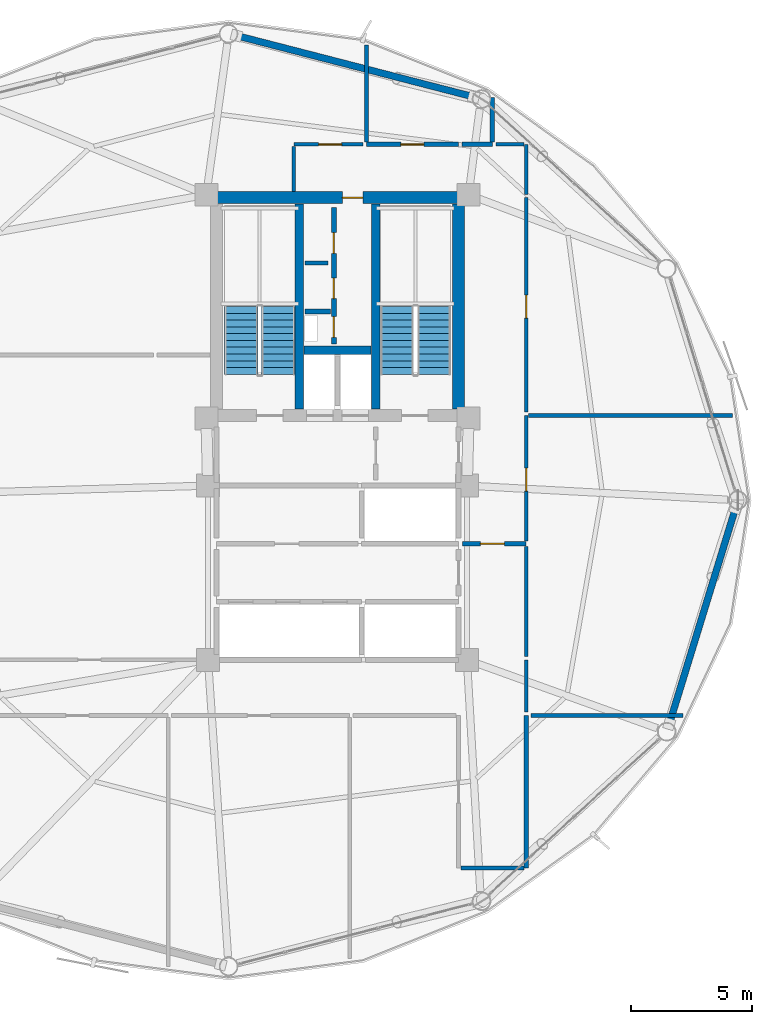
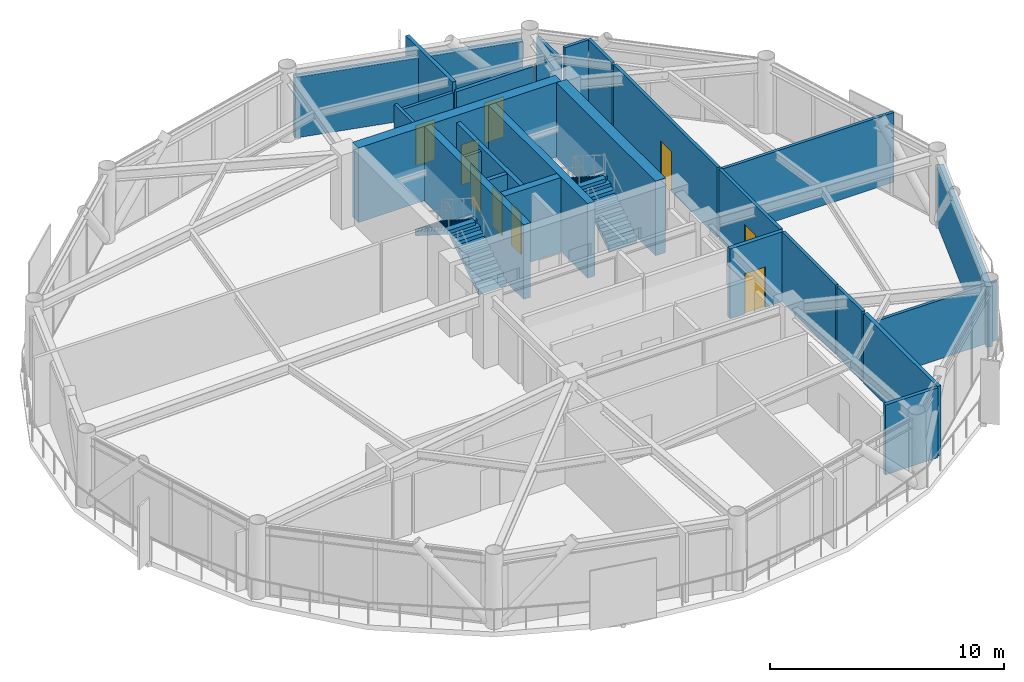
# One storey, part 23 of 27: 27 walls, 9 doors, 4 stair flights, 9 openings, 2 elements without a shape of their own.
"""IFC4 building model written with IfcOpenShell, lengths in metres."""

from ifc_helpers import new_model, si_unit, direction, frame, frame_2d, origin, place, context, subcontext, project, spatial, polyline, rectangle, outline, extrude, material, layer, layer_set, type_object, element, fill, aggregate, save


model = new_model("IFC4")

# Units and contexts
model_context = context("Model", 3, precision=1e-05, world=origin(), true_north=direction((0.0, 1.0)))
body_context = subcontext(model_context, "Body", "Model", "MODEL_VIEW")
ifc_project = project(units=[si_unit("LENGTHUNIT", "METRE"), si_unit("AREAUNIT", "SQUARE_METRE"), si_unit("VOLUMEUNIT", "CUBIC_METRE"), si_unit("PLANEANGLEUNIT", "RADIAN"), si_unit("MASSUNIT", "GRAM", prefix="KILO")], contexts=[model_context])

# Site, building, storey
site_placement = place(None, origin())
site = spatial("IfcSite", under=ifc_project, at=site_placement, CompositionType="ELEMENT")
building_placement = place(site_placement, origin())
building = spatial("IfcBuilding", under=site, at=building_placement, Name="Varnakorn Sky Granary", CompositionType="ELEMENT")
storey_placement = place(building_placement, frame((0.0, 0.0, 134.39990234375)))
storey = spatial("IfcBuildingStorey", under=building, at=storey_placement, Name="L33", CompositionType="ELEMENT", Elevation=134.39990234375)

# Walls
ifc_material_1 = material(Name="Concrete C50/60", Category="concrete")
ifc_layer_1 = layer(ifc_material_1, 0.35009765625, Name="Concrete C50/60")
ifc_layer_set_1 = layer_set([ifc_layer_1], Name="Concrete C50/60")
wall_type_1 = type_object("IfcWallType", Name="WT-CW-INT-350", PredefinedType="SHEAR", material=ifc_layer_set_1)
for number, where, z_axis, x_axis, name in (
    (1, (1.419921875, 3.760009765625, 0.0), (0.0, 0.0, 1.0), (0.0, 1.0, 0.0), "Stair ST-1 Core Wall L33"),
    (2, (4.580078125, 3.760009765625, 0.0), (0.0, 0.0, 1.0), (0.0, 1.0, 0.0), "Stair ST-2 Core Wall L33"),
):
    element("IfcWall", number, at=place(storey_placement, frame(where, z_axis=z_axis, x_axis=x_axis)), inside=storey, type_object=wall_type_1, Name=name, PredefinedType="SHEAR", context=body_context, shape_type="SweptSolid", body=[
        extrude(rectangle(XDim=8.47998046875, YDim=0.35009765625, at=frame_2d((4.239990234375, 0.0))), origin(), (0.0, 0.0, 1.0), 3.89208984375),
    ])
wall_1_placement = place(storey_placement, frame((1.610107421875, 6.199951171875, 0.0), z_axis=(0.0, 0.0, 1.0), x_axis=(1.0, 0.0, 0.0)))
element("IfcWall", 3, at=wall_1_placement, inside=storey, type_object=wall_type_1, Name="Core Lift Shaft Cross Wall L33", PredefinedType="SHEAR", context=body_context, shape_type="SweptSolid", body=[
    extrude(rectangle(XDim=2.77978515625, YDim=0.35009765625, at=frame_2d((1.389892578125, 0.0))), origin(), (0.0, 0.0, 1.0), 3.89208984375),
])

# Wall, opening, door
ifc_material_2 = material(Name="Concrete C60/75", Category="concrete")
ifc_layer_2 = layer(ifc_material_2, 0.5, Name="Concrete C60/75")
ifc_layer_set_2 = layer_set([ifc_layer_2], Name="Concrete C60/75")
wall_type_2 = type_object("IfcWallType", Name="WT-CW-SHEAR-500", PredefinedType="SHEAR", material=ifc_layer_set_2)
wall_2_placement = place(storey_placement, frame((-2.0, 12.5, 0.0), z_axis=(0.0, 0.0, 1.0), x_axis=(1.0, 0.0, 0.0)))
wall_2 = element("IfcWall", 4, at=wall_2_placement, inside=storey, type_object=wall_type_2, Name="Core North Shear Wall L33", PredefinedType="SHEAR", context=body_context, shape_type="SweptSolid", body=[
    extrude(rectangle(XDim=10.0, YDim=0.5, at=frame_2d((5.0, 0.0))), origin(), (0.0, 0.0, 1.0), 3.89208984375),
])
opening_1_placement = place(wall_2_placement, frame((5.199951171875, 0.0, 0.0)))
opening_1 = element("IfcOpeningElement", 5, at=opening_1_placement, cuts=wall_2, Name="Opening FD-60N", PredefinedType="OPENING", context=body_context, shape_type="SweptSolid", body=[
    extrude(rectangle(XDim=0.85009765625, YDim=2.10009765625, at=frame_2d((0.425048828125, 1.050048828125))), frame((0.0, 0.260009765625, 0.0), z_axis=(0.0, -1.0, 0.0), x_axis=(1.0, 0.0, 0.0)), (0.0, 0.0, 1.0), 0.52001953125),
])
ifc_material_3 = material(Name="Acoustic Timber Fire Leaf", Category="wood")
door_type_1 = type_object("IfcDoorType", Name="DR-FD60-850", OperationType="NOTDEFINED", PredefinedType="DOOR", material=ifc_material_3)
door_1_placement = place(opening_1_placement, origin())
door_1 = element("IfcDoor", 6, at=door_1_placement, inside=storey, type_object=door_type_1, Name="Core North Service Door L33", OperationType="SINGLE_SWING_LEFT", OverallHeight=2.10009765625, OverallWidth=0.85009765625, PredefinedType="DOOR", context=body_context, shape_type="SweptSolid", body=[
    extrude(rectangle(XDim=0.85009765625, YDim=2.10009765625, at=frame_2d((0.425048828125, 1.050048828125))), frame((0.0, 0.02490234375, 0.0), z_axis=(0.0, -1.0, 0.0), x_axis=(1.0, 0.0, 0.0)), (0.0, 0.0, 1.0), 0.050048828125),
])
fill(opening_1, door_1)

# Walls
wall_3_placement = place(storey_placement, frame((8.0, 3.760009765625, 0.0), z_axis=(0.0, 0.0, 1.0), x_axis=(0.0, 1.0, 0.0)))
element("IfcWall", 7, at=wall_3_placement, inside=storey, type_object=wall_type_2, Name="Core East Shear Wall L33", PredefinedType="SHEAR", context=body_context, shape_type="SweptSolid", body=[
    extrude(rectangle(XDim=8.47998046875, YDim=0.5, at=frame_2d((4.239990234375, 0.0))), origin(), (0.0, 0.0, 1.0), 3.89208984375),
])
ifc_material_4 = material(Name="Precast concrete C40/50", Category="concrete")
ifc_layer_3 = layer(ifc_material_4, 0.280029296875, Name="Precast concrete C40/50")
ifc_layer_set_3 = layer_set([ifc_layer_3], Name="Precast concrete C40/50")
wall_type_3 = type_object("IfcWallType", Name="WT-EW-CRN-280", PredefinedType="SOLIDWALL", material=ifc_layer_set_3)
wall_4_placement = place(storey_placement, frame((-1.1748046875, 19.195068359375, 0.0), z_axis=(0.0, 0.0, 1.0), x_axis=(0.968249285974, -0.249986640067, 0.0)))
element("IfcWall", 8, at=wall_4_placement, inside=storey, type_object=wall_type_3, Name="Agritech Insulated Precast Facade Wall L33-P03", PredefinedType="SOLIDWALL", context=body_context, shape_type="SweptSolid", body=[
    extrude(rectangle(XDim=10.12841796875, YDim=0.280029296875, at=frame_2d((5.064208984375, 0.0))), origin(), (0.0, 0.0, 1.0), 3.16015625),
])
wall_5_placement = place(storey_placement, frame((19.451416015625, -0.3212890625, 0.0), z_axis=(0.0, 0.0, 1.0), x_axis=(-0.2933492289, -0.956005350353, 0.0)))
element("IfcWall", 9, at=wall_5_placement, inside=storey, type_object=wall_type_3, Name="Agritech Insulated Precast Facade Wall L33-P12", PredefinedType="SOLIDWALL", context=body_context, shape_type="SweptSolid", body=[
    extrude(rectangle(XDim=9.34033203125, YDim=0.280029296875, at=frame_2d((4.670166015625, 0.0))), origin(), (0.0, 0.0, 1.0), 3.16015625),
])

# Wall, openings, doors
ifc_material_5 = material(Name="Autoclaved Aerated Concrete Blockwork", Category="masonry")
ifc_layer_4 = layer(ifc_material_5, 0.199951171875, Name="Autoclaved Aerated Concrete Blockwork")
ifc_layer_set_4 = layer_set([ifc_layer_4], Name="Autoclaved Aerated Concrete Blockwork")
wall_type_4 = type_object("IfcWallType", Name="WT-FIRE-200", PredefinedType="MOVABLE", material=ifc_layer_set_4)
wall_6_placement = place(storey_placement, frame((2.85009765625, 6.449951171875, 0.0), z_axis=(0.0, 0.0, 1.0), x_axis=(0.0, 1.0, 0.0)))
wall_6 = element("IfcWall", 10, at=wall_6_placement, inside=storey, type_object=wall_type_4, Name="Interior Partition Wall L33-014", PredefinedType="MOVABLE", context=body_context, shape_type="SweptSolid", body=[
    extrude(rectangle(XDim=5.650146484375, YDim=0.199951171875, at=frame_2d((2.8251953125, 0.0))), origin(), (0.0, 0.0, 1.0), 3.64013671875),
])
opening_2_placement = place(wall_6_placement, frame((1.8798828125, 0.0, 0.0)))
opening_2 = element("IfcOpeningElement", 11, at=opening_2_placement, cuts=wall_6, Name="Opening RD-85", PredefinedType="OPENING", context=body_context, shape_type="SweptSolid", body=[
    extrude(rectangle(XDim=0.85009765625, YDim=2.050048828125, at=frame_2d((0.425048828125, 1.02490234375))), frame((0.0, 0.10986328125, 0.0), z_axis=(0.0, -1.0, 0.0), x_axis=(1.0, 0.0, 0.0)), (0.0, 0.0, 1.0), 0.219970703125),
])
opening_3_placement = place(wall_6_placement, frame((3.75, 0.0, 0.0)))
opening_3 = element("IfcOpeningElement", 12, at=opening_3_placement, cuts=wall_6, Name="Opening FD-60N", PredefinedType="OPENING", context=body_context, shape_type="SweptSolid", body=[
    extrude(rectangle(XDim=0.85009765625, YDim=2.10009765625, at=frame_2d((0.425048828125, 1.050048828125))), frame((0.0, 0.10986328125, 0.0), z_axis=(0.0, -1.0, 0.0), x_axis=(1.0, 0.0, 0.0)), (0.0, 0.0, 1.0), 0.219970703125),
])
opening_4_placement = place(wall_6_placement, frame((0.280029296875, 0.0, 0.0)))
opening_4 = element("IfcOpeningElement", 13, at=opening_4_placement, cuts=wall_6, Name="Opening FD-60N", PredefinedType="OPENING", context=body_context, shape_type="SweptSolid", body=[
    extrude(rectangle(XDim=0.85009765625, YDim=2.10009765625, at=frame_2d((0.425048828125, 1.050048828125))), frame((0.0, 0.10986328125, 0.0), z_axis=(0.0, -1.0, 0.0), x_axis=(1.0, 0.0, 0.0)), (0.0, 0.0, 1.0), 0.219970703125),
])
door_2_placement = place(opening_3_placement, origin())
door_2 = element("IfcDoor", 14, at=door_2_placement, inside=storey, type_object=door_type_1, Name="Interior Door L33-014-2", OperationType="SINGLE_SWING_RIGHT", OverallHeight=2.10009765625, OverallWidth=0.85009765625, PredefinedType="DOOR", context=body_context, shape_type="SweptSolid", body=[
    extrude(rectangle(XDim=0.85009765625, YDim=2.10009765625, at=frame_2d((0.425048828125, 1.050048828125))), frame((0.0, 0.02490234375, 0.0), z_axis=(0.0, -1.0, 0.0), x_axis=(1.0, 0.0, 0.0)), (0.0, 0.0, 1.0), 0.050048828125),
])
fill(opening_3, door_2)
door_3_placement = place(opening_4_placement, origin())
door_3 = element("IfcDoor", 15, at=door_3_placement, inside=storey, type_object=door_type_1, Name="Interior Door L33-014-3", OperationType="SINGLE_SWING_LEFT", OverallHeight=2.10009765625, OverallWidth=0.85009765625, PredefinedType="DOOR", context=body_context, shape_type="SweptSolid", body=[
    extrude(rectangle(XDim=0.85009765625, YDim=2.10009765625, at=frame_2d((0.425048828125, 1.050048828125))), frame((0.0, 0.02490234375, 0.0), z_axis=(0.0, -1.0, 0.0), x_axis=(1.0, 0.0, 0.0)), (0.0, 0.0, 1.0), 0.050048828125),
])
fill(opening_4, door_3)
ifc_material_6 = material(Name="Galvanised Painted Steel Leaf", Category="steel")
door_type_2 = type_object("IfcDoorType", Name="DR-RIS-850", OperationType="NOTDEFINED", PredefinedType="DOOR", material=ifc_material_6)
door_4_placement = place(opening_2_placement, origin())
door_4 = element("IfcDoor", 16, at=door_4_placement, inside=storey, type_object=door_type_2, Name="MEP Riser Shaft Access Door L33-014-1", OperationType="SINGLE_SWING_LEFT", OverallHeight=2.050048828125, OverallWidth=0.85009765625, PredefinedType="DOOR", context=body_context, shape_type="SweptSolid", body=[
    extrude(rectangle(XDim=0.85009765625, YDim=2.050048828125, at=frame_2d((0.425048828125, 1.02490234375))), frame((0.0, 0.02490234375, 0.0), z_axis=(0.0, -1.0, 0.0), x_axis=(1.0, 0.0, 0.0)), (0.0, 0.0, 1.0), 0.050048828125),
])
fill(opening_2, door_4)

# Wall, opening, door
wall_7_placement = place(storey_placement, frame((8.159912109375, -1.800048828125, 0.0), z_axis=(0.0, 0.0, 1.0), x_axis=(1.0, 0.0, 0.0)))
wall_7 = element("IfcWall", 17, at=wall_7_placement, inside=storey, type_object=wall_type_4, Name="Interior Partition Wall L33-019", PredefinedType="MOVABLE", context=body_context, shape_type="SweptSolid", body=[
    extrude(rectangle(XDim=2.64013671875, YDim=0.199951171875, at=frame_2d((1.320068359375, 0.0))), origin(), (0.0, 0.0, 1.0), 3.64013671875),
])
opening_5_placement = place(wall_7_placement, frame((0.739990234375, 0.0, 0.0)))
opening_5 = element("IfcOpeningElement", 18, at=opening_5_placement, cuts=wall_7, Name="Opening FD-60", PredefinedType="OPENING", context=body_context, shape_type="SweptSolid", body=[
    extrude(rectangle(XDim=1.0, YDim=2.10009765625, at=frame_2d((0.5, 1.050048828125))), frame((0.0, 0.10986328125, 0.0), z_axis=(0.0, -1.0, 0.0), x_axis=(1.0, 0.0, 0.0)), (0.0, 0.0, 1.0), 0.219970703125),
])
door_type_3 = type_object("IfcDoorType", Name="DR-FD60-1000", OperationType="NOTDEFINED", PredefinedType="DOOR", material=ifc_material_3)
door_5_placement = place(opening_5_placement, origin())
door_5 = element("IfcDoor", 19, at=door_5_placement, inside=storey, type_object=door_type_3, Name="Interior Door L33-019-1", OperationType="SINGLE_SWING_RIGHT", OverallHeight=2.10009765625, OverallWidth=1.0, PredefinedType="DOOR", context=body_context, shape_type="SweptSolid", body=[
    extrude(rectangle(XDim=1.0, YDim=2.10009765625, at=frame_2d((0.5, 1.050048828125))), frame((0.0, 0.02490234375, 0.0), z_axis=(0.0, -1.0, 0.0), x_axis=(1.0, 0.0, 0.0)), (0.0, 0.0, 1.0), 0.050048828125),
])
fill(opening_5, door_5)

ifc_material_7 = material(Name="Gypsum Plasterboard on Steel Stud", Category="steel")
ifc_layer_5 = layer(ifc_material_7, 0.14990234375, Name="Gypsum Plasterboard on Steel Stud")
ifc_layer_set_5 = layer_set([ifc_layer_5], Name="Gypsum Plasterboard on Steel Stud")
wall_type_5 = type_object("IfcWallType", Name="WT-PART-150", PredefinedType="PARTITIONING", material=ifc_layer_set_5)
wall_8_placement = place(storey_placement, frame((4.050048828125, 14.699951171875, 0.0), z_axis=(0.0, 0.0, 1.0), x_axis=(-1.0, 0.0, 0.0)))
wall_8 = element("IfcWall", 20, at=wall_8_placement, inside=storey, type_object=wall_type_5, Name="Interior Partition Wall L33-025", PredefinedType="PARTITIONING", context=body_context, shape_type="SweptSolid", body=[
    extrude(rectangle(XDim=2.85009765625, YDim=0.14990234375, at=frame_2d((1.425048828125, 0.0))), origin(), (0.0, 0.0, 1.0), 3.22216796875),
])
opening_6_placement = place(wall_8_placement, frame((0.875, 0.0, 0.0)))
opening_6 = element("IfcOpeningElement", 21, at=opening_6_placement, cuts=wall_8, Name="Opening ID-95", PredefinedType="OPENING", context=body_context, shape_type="SweptSolid", body=[
    extrude(rectangle(XDim=0.949951171875, YDim=2.10009765625, at=frame_2d((0.47509765625, 1.050048828125))), frame((0.0, 0.0849609375, 0.0), z_axis=(0.0, -1.0, 0.0), x_axis=(1.0, 0.0, 0.0)), (0.0, 0.0, 1.0), 0.169921875),
])
ifc_material_8 = material(Name="Solid-Core Teak Veneer Leaf", Category="timber")
door_type_4 = type_object("IfcDoorType", Name="DR-INT-950", OperationType="NOTDEFINED", PredefinedType="DOOR", material=ifc_material_8)
door_6_placement = place(opening_6_placement, origin())
door_6 = element("IfcDoor", 22, at=door_6_placement, inside=storey, type_object=door_type_4, Name="Interior Door L33-025-1", OperationType="SINGLE_SWING_RIGHT", OverallHeight=2.10009765625, OverallWidth=0.949951171875, PredefinedType="DOOR", context=body_context, shape_type="SweptSolid", body=[
    extrude(rectangle(XDim=0.949951171875, YDim=2.10009765625, at=frame_2d((0.47509765625, 1.050048828125))), frame((0.0, 0.02490234375, 0.0), z_axis=(0.0, -1.0, 0.0), x_axis=(1.0, 0.0, 0.0)), (0.0, 0.0, 1.0), 0.050048828125),
])
fill(opening_6, door_6)

wall_9_placement = place(storey_placement, frame((10.800048828125, -1.68994140625, 0.0), z_axis=(0.0, 0.0, 1.0), x_axis=(0.0, 1.0, 0.0)))
wall_9 = element("IfcWall", 23, at=wall_9_placement, inside=storey, type_object=wall_type_5, Name="Interior Partition Wall L33-026", PredefinedType="PARTITIONING", context=body_context, shape_type="SweptSolid", body=[
    extrude(rectangle(XDim=5.18994140625, YDim=0.14990234375, at=frame_2d((2.594970703125, 0.0))), origin(), (0.0, 0.0, 1.0), 3.64013671875),
])
opening_7_placement = place(wall_9_placement, frame((2.06494140625, 0.0, 0.0)))
opening_7 = element("IfcOpeningElement", 24, at=opening_7_placement, cuts=wall_9, Name="Opening ID-95", PredefinedType="OPENING", context=body_context, shape_type="SweptSolid", body=[
    extrude(rectangle(XDim=0.949951171875, YDim=2.10009765625, at=frame_2d((0.47509765625, 1.050048828125))), frame((0.0, 0.0849609375, 0.0), z_axis=(0.0, -1.0, 0.0), x_axis=(1.0, 0.0, 0.0)), (0.0, 0.0, 1.0), 0.169921875),
])
door_7_placement = place(opening_7_placement, origin())
door_7 = element("IfcDoor", 25, at=door_7_placement, inside=storey, type_object=door_type_4, Name="Interior Door L33-026-1", OperationType="SINGLE_SWING_LEFT", OverallHeight=2.10009765625, OverallWidth=0.949951171875, PredefinedType="DOOR", context=body_context, shape_type="SweptSolid", body=[
    extrude(rectangle(XDim=0.949951171875, YDim=2.10009765625, at=frame_2d((0.47509765625, 1.050048828125))), frame((0.0, 0.02490234375, 0.0), z_axis=(0.0, -1.0, 0.0), x_axis=(1.0, 0.0, 0.0)), (0.0, 0.0, 1.0), 0.050048828125),
])
fill(opening_7, door_7)

wall_10_placement = place(storey_placement, frame((10.800048828125, 3.635009765625, 0.0), z_axis=(0.0, 0.0, 1.0), x_axis=(0.0, 1.0, 0.0)))
wall_10 = element("IfcWall", 26, at=wall_10_placement, inside=storey, type_object=wall_type_5, Name="Interior Partition Wall L33-027", PredefinedType="PARTITIONING", context=body_context, shape_type="SweptSolid", body=[
    extrude(rectangle(XDim=8.864990234375, YDim=0.14990234375, at=frame_2d((4.4326171875, 0.0))), origin(), (0.0, 0.0, 1.0), 3.64013671875),
])
opening_8_placement = place(wall_10_placement, frame((3.889892578125, 0.0, 0.0)))
opening_8 = element("IfcOpeningElement", 27, at=opening_8_placement, cuts=wall_10, Name="Opening ID-95", PredefinedType="OPENING", context=body_context, shape_type="SweptSolid", body=[
    extrude(rectangle(XDim=0.949951171875, YDim=2.10009765625, at=frame_2d((0.47509765625, 1.050048828125))), frame((0.0, 0.0849609375, 0.0), z_axis=(0.0, -1.0, 0.0), x_axis=(1.0, 0.0, 0.0)), (0.0, 0.0, 1.0), 0.169921875),
])
door_8_placement = place(opening_8_placement, origin())
door_8 = element("IfcDoor", 28, at=door_8_placement, inside=storey, type_object=door_type_4, Name="Interior Door L33-027-1", OperationType="SINGLE_SWING_RIGHT", OverallHeight=2.10009765625, OverallWidth=0.949951171875, PredefinedType="DOOR", context=body_context, shape_type="SweptSolid", body=[
    extrude(rectangle(XDim=0.949951171875, YDim=2.10009765625, at=frame_2d((0.47509765625, 1.050048828125))), frame((0.0, 0.02490234375, 0.0), z_axis=(0.0, -1.0, 0.0), x_axis=(1.0, 0.0, 0.0)), (0.0, 0.0, 1.0), 0.050048828125),
])
fill(opening_8, door_8)

# Walls
wall_11_placement = place(storey_placement, frame((1.64990234375, 9.800048828125, 0.0), z_axis=(0.0, 0.0, 1.0), x_axis=(1.0, 0.0, 0.0)))
element("IfcWall", 29, at=wall_11_placement, inside=storey, type_object=wall_type_5, Name="Interior Partition Wall L33-028", PredefinedType="PARTITIONING", context=body_context, shape_type="SweptSolid", body=[
    extrude(rectangle(XDim=0.960205078125, YDim=0.14990234375, at=frame_2d((0.47998046875, 0.0))), origin(), (0.0, 0.0, 1.0), 3.64013671875),
])
wall_12_placement = place(storey_placement, frame((11.0, -8.89990234375, 0.0), z_axis=(0.0, 0.0, 1.0), x_axis=(1.0, 0.0, 0.0)))
element("IfcWall", 30, at=wall_12_placement, inside=storey, type_object=wall_type_5, Name="Interior Partition Wall L33-041", PredefinedType="PARTITIONING", context=body_context, shape_type="SweptSolid", body=[
    extrude(rectangle(XDim=6.27197265625, YDim=0.14990234375, at=frame_2d((3.135986328125, 0.0))), origin(), (0.0, 0.0, 1.0), 3.072021484375),
])
wall_13_placement = place(storey_placement, frame((1.199951171875, 14.614990234375, 0.0), z_axis=(0.0, 0.0, 1.0), x_axis=(0.0, -1.0, 0.0)))
element("IfcWall", 31, at=wall_13_placement, inside=storey, type_object=wall_type_5, Name="Interior Partition Wall L33-045", PredefinedType="PARTITIONING", context=body_context, shape_type="SweptSolid", body=[
    extrude(rectangle(XDim=1.85498046875, YDim=0.14990234375, at=frame_2d((0.927490234375, 0.0))), origin(), (0.0, 0.0, 1.0), 3.64013671875),
])
wall_14_placement = place(storey_placement, frame((10.800048828125, -8.75, 0.0), z_axis=(0.0, 0.0, 1.0), x_axis=(0.0, 1.0, 0.0)))
element("IfcWall", 32, at=wall_14_placement, inside=storey, type_object=wall_type_5, Name="Interior Partition Wall L33-047", PredefinedType="PARTITIONING", context=body_context, shape_type="SweptSolid", body=[
    extrude(rectangle(XDim=2.14990234375, YDim=0.14990234375, at=frame_2d((1.074951171875, 0.0))), origin(), (0.0, 0.0, 1.0), 3.64013671875),
])
wall_15_placement = place(storey_placement, frame((10.800048828125, -6.465087890625, 0.0), z_axis=(0.0, 0.0, 1.0), x_axis=(0.0, 1.0, 0.0)))
element("IfcWall", 33, at=wall_15_placement, inside=storey, type_object=wall_type_5, Name="Interior Partition Wall L33-048", PredefinedType="PARTITIONING", context=body_context, shape_type="SweptSolid", body=[
    extrude(rectangle(XDim=4.55517578125, YDim=0.14990234375, at=frame_2d((2.277587890625, 0.0))), origin(), (0.0, 0.0, 1.0), 3.64013671875),
])
wall_16_placement = place(storey_placement, frame((10.885009765625, 3.5, 0.0), z_axis=(0.0, 0.0, 1.0), x_axis=(1.0, 0.0, 0.0)))
element("IfcWall", 34, at=wall_16_placement, inside=storey, type_object=wall_type_5, Name="Interior Partition Wall L33-049", PredefinedType="PARTITIONING", context=body_context, shape_type="SweptSolid", body=[
    extrude(rectangle(XDim=8.44091796875, YDim=0.14990234375, at=frame_2d((4.220458984375, 0.0))), origin(), (0.0, 0.0, 1.0), 3.64013671875),
])
wall_17_placement = place(storey_placement, frame((10.800048828125, 12.635009765625, 0.0), z_axis=(0.0, 0.0, 1.0), x_axis=(0.0, 1.0, 0.0)))
element("IfcWall", 35, at=wall_17_placement, inside=storey, type_object=wall_type_5, Name="Interior Partition Wall L33-050", PredefinedType="PARTITIONING", context=body_context, shape_type="SweptSolid", body=[
    extrude(rectangle(XDim=2.06494140625, YDim=0.14990234375, at=frame_2d((1.032470703125, 0.0))), origin(), (0.0, 0.0, 1.0), 3.64013671875),
])
wall_18_placement = place(storey_placement, frame((10.715087890625, 14.699951171875, 0.0), z_axis=(0.0, 0.0, 1.0), x_axis=(-1.0, 0.0, 0.0)))
element("IfcWall", 36, at=wall_18_placement, inside=storey, type_object=wall_type_5, Name="Interior Partition Wall L33-051", PredefinedType="PARTITIONING", context=body_context, shape_type="SweptSolid", body=[
    extrude(rectangle(XDim=1.1650390625, YDim=0.14990234375, at=frame_2d((0.58251953125, 0.0))), origin(), (0.0, 0.0, 1.0), 3.64013671875),
])

# Wall, opening, door
ifc_material_9 = material(Name="Moisture-Resistant Gypsum on Stud", Category="gypsum")
ifc_layer_6 = layer(ifc_material_9, 0.179931640625, Name="Moisture-Resistant Gypsum on Stud")
ifc_layer_set_6 = layer_set([ifc_layer_6], Name="Moisture-Resistant Gypsum on Stud")
wall_type_6 = type_object("IfcWallType", Name="WT-PLUMB-180", PredefinedType="PLUMBINGWALL", material=ifc_layer_set_6)
wall_19_placement = place(storey_placement, frame((8.0, 14.699951171875, 0.0), z_axis=(0.0, 0.0, 1.0), x_axis=(-1.0, 0.0, 0.0)))
wall_19 = element("IfcWall", 37, at=wall_19_placement, inside=storey, type_object=wall_type_6, Name="Interior Partition Wall L33-020", PredefinedType="PLUMBINGWALL", context=body_context, shape_type="SweptSolid", body=[
    extrude(rectangle(XDim=3.800048828125, YDim=0.179931640625, at=frame_2d((1.89990234375, 0.0))), origin(), (0.0, 0.0, 1.0), 3.22216796875),
])
opening_9_placement = place(wall_19_placement, frame((1.425048828125, 0.0, 0.0)))
opening_9 = element("IfcOpeningElement", 38, at=opening_9_placement, cuts=wall_19, Name="Opening ID-95", PredefinedType="OPENING", context=body_context, shape_type="SweptSolid", body=[
    extrude(rectangle(XDim=0.949951171875, YDim=2.10009765625, at=frame_2d((0.47509765625, 1.050048828125))), frame((0.0, 0.10009765625, 0.0), z_axis=(0.0, -1.0, 0.0), x_axis=(1.0, 0.0, 0.0)), (0.0, 0.0, 1.0), 0.199951171875),
])
door_9_placement = place(opening_9_placement, origin())
door_9 = element("IfcDoor", 39, at=door_9_placement, inside=storey, type_object=door_type_4, Name="Interior Door L33-020-1", OperationType="SINGLE_SWING_LEFT", OverallHeight=2.10009765625, OverallWidth=0.949951171875, PredefinedType="DOOR", context=body_context, shape_type="SweptSolid", body=[
    extrude(rectangle(XDim=0.949951171875, YDim=2.10009765625, at=frame_2d((0.47509765625, 1.050048828125))), frame((0.0, 0.02490234375, 0.0), z_axis=(0.0, -1.0, 0.0), x_axis=(1.0, 0.0, 0.0)), (0.0, 0.0, 1.0), 0.050048828125),
])
fill(opening_9, door_9)

# Walls
wall_20_placement = place(storey_placement, frame((9.39990234375, 14.699951171875, 0.0), z_axis=(0.0, 0.0, 1.0), x_axis=(-1.0, 0.0, 0.0)))
element("IfcWall", 40, at=wall_20_placement, inside=storey, type_object=wall_type_6, Name="Interior Partition Wall L33-033", PredefinedType="PLUMBINGWALL", context=body_context, shape_type="SweptSolid", body=[
    extrude(rectangle(XDim=1.25, YDim=0.179931640625, at=frame_2d((0.625, 0.0))), origin(), (0.0, 0.0, 1.0), 3.22216796875),
])
wall_21_placement = place(storey_placement, frame((10.800048828125, -15.199951171875, 0.0), z_axis=(0.0, 0.0, 1.0), x_axis=(0.0, 1.0, 0.0)))
element("IfcWall", 41, at=wall_21_placement, inside=storey, type_object=wall_type_6, Name="Interior Partition Wall L33-038", PredefinedType="PLUMBINGWALL", context=body_context, shape_type="SweptSolid", body=[
    extrude(rectangle(XDim=6.300048828125, YDim=0.179931640625, at=frame_2d((3.14990234375, 0.0))), origin(), (0.0, 0.0, 1.0), 3.64013671875),
])
wall_22_placement = place(storey_placement, frame((8.10009765625, -15.199951171875, 0.0), z_axis=(0.0, 0.0, 1.0), x_axis=(1.0, 0.0, 0.0)))
element("IfcWall", 42, at=wall_22_placement, inside=storey, type_object=wall_type_6, Name="Interior Partition Wall L33-040", PredefinedType="PLUMBINGWALL", context=body_context, shape_type="SweptSolid", body=[
    extrude(rectangle(XDim=2.599853515625, YDim=0.179931640625, at=frame_2d((1.2998046875, 0.0))), origin(), (0.0, 0.0, 1.0), 3.64013671875),
])
wall_23_placement = place(storey_placement, frame((4.199951171875, 18.804931640625, 0.0), z_axis=(0.0, 0.0, 1.0), x_axis=(0.0, -1.0, 0.0)))
element("IfcWall", 43, at=wall_23_placement, inside=storey, type_object=wall_type_6, Name="Interior Partition Wall L33-046", PredefinedType="PLUMBINGWALL", context=body_context, shape_type="SweptSolid", body=[
    extrude(rectangle(XDim=4.0048828125, YDim=0.179931640625, at=frame_2d((2.00244140625, 0.0))), origin(), (0.0, 0.0, 1.0), 3.64013671875),
])
wall_24_placement = place(storey_placement, frame((9.39990234375, 14.800048828125, 0.0), z_axis=(0.0, 0.0, 1.0), x_axis=(0.0, 1.0, 0.0)))
element("IfcWall", 44, at=wall_24_placement, inside=storey, type_object=wall_type_6, Name="Interior Partition Wall L33-052", PredefinedType="PLUMBINGWALL", context=body_context, shape_type="SweptSolid", body=[
    extrude(rectangle(XDim=1.842041015625, YDim=0.179931640625, at=frame_2d((0.9208984375, 0.0))), origin(), (0.0, 0.0, 1.0), 3.072021484375),
])
ifc_layer_7 = layer(ifc_material_5, 0.199951171875, Name="Autoclaved Aerated Concrete Blockwork")
ifc_layer_set_7 = layer_set([ifc_layer_7], Name="Autoclaved Aerated Concrete Blockwork")
wall_type_7 = type_object("IfcWallType", Name="WT-SHAFT-200", PredefinedType="SOLIDWALL", material=ifc_layer_set_7)
wall_25_placement = place(storey_placement, frame((1.64990234375, 7.800048828125, 0.0), z_axis=(0.0, 0.0, 1.0), x_axis=(1.0, 0.0, 0.0)))
element("IfcWall", 45, at=wall_25_placement, inside=storey, type_object=wall_type_7, Name="Interior Partition Wall L33-002", PredefinedType="SOLIDWALL", context=body_context, shape_type="SweptSolid", body=[
    extrude(rectangle(XDim=1.070068359375, YDim=0.199951171875, at=frame_2d((0.53515625, 0.0))), origin(), (0.0, 0.0, 1.0), 3.64013671875),
])

# Stair, stair flights
ifc_material_10 = material(Name="Concrete C40/50", Category="concrete")
stair_type = type_object("IfcStairType", Name="ST-MAIN-ASSEMBLY", PredefinedType="HALF_TURN_STAIR", material=ifc_material_10)
stair_1_placement = place(storey_placement, origin())
stair_1 = element("IfcStair", 46, at=stair_1_placement, inside=storey, type_object=stair_type, Name="L33 Protected Exit Stair ST-1", PredefinedType="HALF_TURN_STAIR")
stair_flight_type = type_object("IfcStairFlightType", Name="ST-MAIN-FLIGHT", PredefinedType="STRAIGHT", material=ifc_material_10)
stair_flight_1_placement = place(storey_placement, frame((0.550048828125, 5.199951171875, 0.0), z_axis=(0.0, 0.0, 1.0), x_axis=(0.0, 1.0, 0.0)))
stair_flight_1 = element("IfcStairFlight", 47, at=stair_flight_1_placement, type_object=stair_flight_type, Name="ST-1 flight 1", NumberOfRisers=11, NumberOfTreads=10, PredefinedType="STRAIGHT", RiserHeight=0.177272727, TreadLength=0.28, context=body_context, shape_type="SweptSolid", body=[
    extrude(outline(polyline([(0.0, -0.14990234375), (0.0, 0.0), (0.0, 0.17724609375), (0.280029296875, 0.17724609375), (0.280029296875, 0.3544921875), (0.56005859375, 0.3544921875), (0.56005859375, 0.53173828125), (0.840087890625, 0.53173828125), (0.840087890625, 0.708984375), (1.1201171875, 0.708984375), (1.1201171875, 0.886474609375), (1.39990234375, 0.886474609375), (1.39990234375, 1.063720703125), (1.679931640625, 1.063720703125), (1.679931640625, 1.240966796875), (1.9599609375, 1.240966796875), (1.9599609375, 1.418212890625), (2.239990234375, 1.418212890625), (2.239990234375, 1.595458984375), (2.52001953125, 1.595458984375), (2.52001953125, 1.772705078125), (2.800048828125, 1.772705078125), (2.800048828125, 1.949951171875), (2.800048828125, 1.59521484375), (0.050048828125, -0.14990234375), (0.0, -0.14990234375)])), frame((0.0, 0.68994140625, 0.0), z_axis=(0.0, -1.0, 0.0), x_axis=(1.0, 0.0, 0.0)), (0.0, 0.0, 1.0), 1.3798828125),
])
stair_flight_2_placement = place(storey_placement, frame((-0.97998046875, 8.0, 1.9501953125), z_axis=(0.0, 0.0, 1.0), x_axis=(0.0, -1.0, 0.0)))
stair_flight_2 = element("IfcStairFlight", 48, at=stair_flight_2_placement, type_object=stair_flight_type, Name="ST-1 flight 2", NumberOfRisers=11, NumberOfTreads=10, PredefinedType="STRAIGHT", RiserHeight=0.177272727, TreadLength=0.28, context=body_context, shape_type="SweptSolid", body=[
    extrude(outline(polyline([(0.0, -0.14990234375), (0.0, 0.0), (0.0, 0.17724609375), (0.280029296875, 0.17724609375), (0.280029296875, 0.3544921875), (0.56005859375, 0.3544921875), (0.56005859375, 0.53173828125), (0.840087890625, 0.53173828125), (0.840087890625, 0.708984375), (1.1201171875, 0.708984375), (1.1201171875, 0.886474609375), (1.39990234375, 0.886474609375), (1.39990234375, 1.063720703125), (1.679931640625, 1.063720703125), (1.679931640625, 1.240966796875), (1.9599609375, 1.240966796875), (1.9599609375, 1.418212890625), (2.239990234375, 1.418212890625), (2.239990234375, 1.595458984375), (2.52001953125, 1.595458984375), (2.52001953125, 1.772705078125), (2.800048828125, 1.772705078125), (2.800048828125, 1.949951171875), (2.800048828125, 1.59521484375), (0.050048828125, -0.14990234375), (0.0, -0.14990234375)])), frame((0.0, 0.68994140625, 0.0), z_axis=(0.0, -1.0, 0.0), x_axis=(1.0, 0.0, 0.0)), (0.0, 0.0, 1.0), 1.3798828125),
])
aggregate(stair_1, [stair_flight_1, stair_flight_2])

stair_2_placement = place(storey_placement, origin())
stair_2 = element("IfcStair", 49, at=stair_2_placement, inside=storey, type_object=stair_type, Name="L33 Protected Exit Stair ST-2", PredefinedType="HALF_TURN_STAIR")
stair_flight_3_placement = place(storey_placement, frame((6.989990234375, 5.199951171875, 0.0), z_axis=(0.0, 0.0, 1.0), x_axis=(0.0, 1.0, 0.0)))
stair_flight_3 = element("IfcStairFlight", 50, at=stair_flight_3_placement, type_object=stair_flight_type, Name="ST-2 flight 1", NumberOfRisers=11, NumberOfTreads=10, PredefinedType="STRAIGHT", RiserHeight=0.177272727, TreadLength=0.28, context=body_context, shape_type="SweptSolid", body=[
    extrude(outline(polyline([(0.0, -0.14990234375), (0.0, 0.0), (0.0, 0.17724609375), (0.280029296875, 0.17724609375), (0.280029296875, 0.3544921875), (0.56005859375, 0.3544921875), (0.56005859375, 0.53173828125), (0.840087890625, 0.53173828125), (0.840087890625, 0.708984375), (1.1201171875, 0.708984375), (1.1201171875, 0.886474609375), (1.39990234375, 0.886474609375), (1.39990234375, 1.063720703125), (1.679931640625, 1.063720703125), (1.679931640625, 1.240966796875), (1.9599609375, 1.240966796875), (1.9599609375, 1.418212890625), (2.239990234375, 1.418212890625), (2.239990234375, 1.595458984375), (2.52001953125, 1.595458984375), (2.52001953125, 1.772705078125), (2.800048828125, 1.772705078125), (2.800048828125, 1.949951171875), (2.800048828125, 1.59521484375), (0.050048828125, -0.14990234375), (0.0, -0.14990234375)])), frame((0.0, 0.68994140625, 0.0), z_axis=(0.0, -1.0, 0.0), x_axis=(1.0, 0.0, 0.0)), (0.0, 0.0, 1.0), 1.3798828125),
])
stair_flight_4_placement = place(storey_placement, frame((5.4599609375, 8.0, 1.9501953125), z_axis=(0.0, 0.0, 1.0), x_axis=(0.0, -1.0, 0.0)))
stair_flight_4 = element("IfcStairFlight", 51, at=stair_flight_4_placement, type_object=stair_flight_type, Name="ST-2 flight 2", NumberOfRisers=11, NumberOfTreads=10, PredefinedType="STRAIGHT", RiserHeight=0.177272727, TreadLength=0.28, context=body_context, shape_type="SweptSolid", body=[
    extrude(outline(polyline([(0.0, -0.14990234375), (0.0, 0.0), (0.0, 0.17724609375), (0.280029296875, 0.17724609375), (0.280029296875, 0.3544921875), (0.56005859375, 0.3544921875), (0.56005859375, 0.53173828125), (0.840087890625, 0.53173828125), (0.840087890625, 0.708984375), (1.1201171875, 0.708984375), (1.1201171875, 0.886474609375), (1.39990234375, 0.886474609375), (1.39990234375, 1.063720703125), (1.679931640625, 1.063720703125), (1.679931640625, 1.240966796875), (1.9599609375, 1.240966796875), (1.9599609375, 1.418212890625), (2.239990234375, 1.418212890625), (2.239990234375, 1.595458984375), (2.52001953125, 1.595458984375), (2.52001953125, 1.772705078125), (2.800048828125, 1.772705078125), (2.800048828125, 1.949951171875), (2.800048828125, 1.59521484375), (0.050048828125, -0.14990234375), (0.0, -0.14990234375)])), frame((0.0, 0.68994140625, 0.0), z_axis=(0.0, -1.0, 0.0), x_axis=(1.0, 0.0, 0.0)), (0.0, 0.0, 1.0), 1.3798828125),
])
aggregate(stair_2, [stair_flight_3, stair_flight_4])

save(model, "model.ifc")
